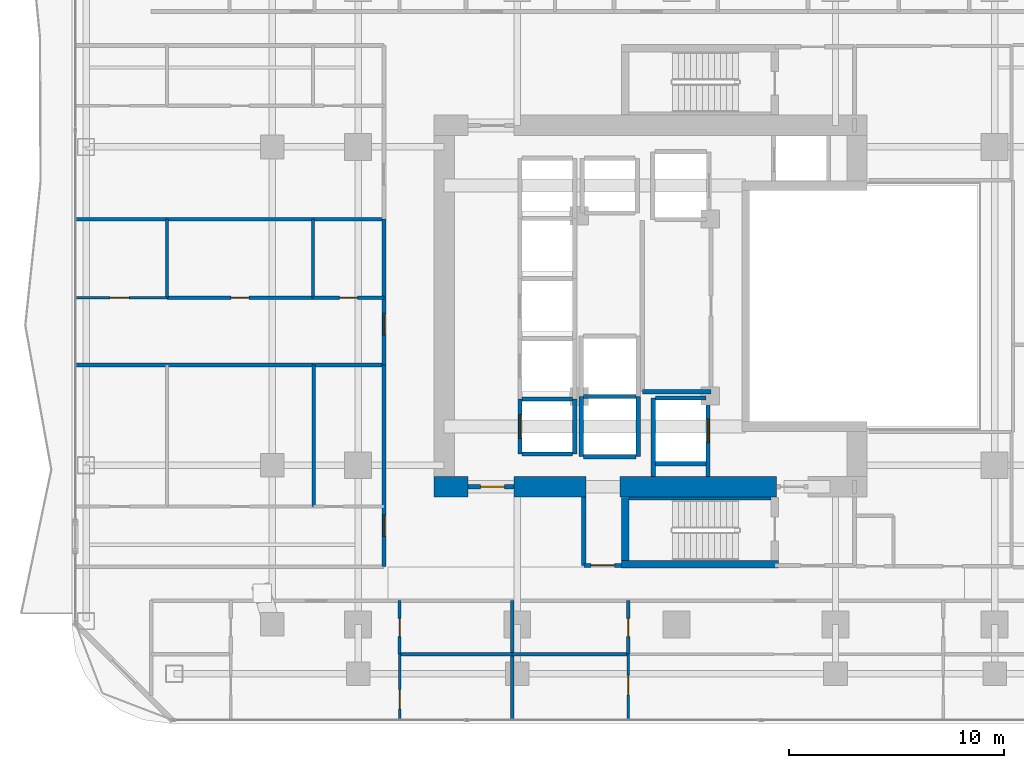
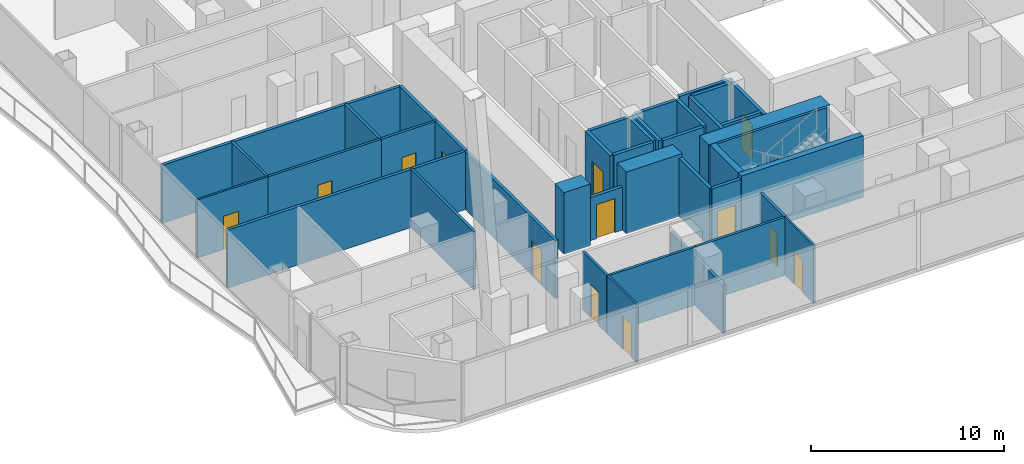
# One storey, part 24 of 32: 39 walls, 13 doors, 13 openings.
"""IFC4 building model written with IfcOpenShell, lengths in metres."""

from ifc_helpers import new_model, si_unit, direction, frame, frame_2d, origin, place, context, subcontext, project, spatial, rectangle, extrude, material, layer, layer_set, type_object, element, fill, save


model = new_model("IFC4")

# Units and contexts
model_context = context("Model", 3, precision=1e-05, world=origin(), true_north=direction((0.0, 1.0)))
body_context = subcontext(model_context, "Body", "Model", "MODEL_VIEW")
ifc_project = project(units=[si_unit("LENGTHUNIT", "METRE"), si_unit("AREAUNIT", "SQUARE_METRE"), si_unit("VOLUMEUNIT", "CUBIC_METRE"), si_unit("PLANEANGLEUNIT", "RADIAN"), si_unit("MASSUNIT", "GRAM", prefix="KILO")], contexts=[model_context])

# Site, building, storey
site_placement = place(None, origin())
site = spatial("IfcSite", under=ifc_project, at=site_placement, CompositionType="ELEMENT")
building_placement = place(site_placement, origin())
building = spatial("IfcBuilding", under=site, at=building_placement, Name="Khorvyn Point Tower", CompositionType="ELEMENT")
storey_placement = place(building_placement, frame((0.0, 0.0, 93.0)))
storey = spatial("IfcBuildingStorey", under=building, at=storey_placement, Name="L23", CompositionType="ELEMENT", Elevation=93.0)

# Wall, opening, door
ifc_material_1 = material(Name="Double acoustic gypsum on twin steel stud", Category="steel")
ifc_layer_1 = layer(ifc_material_1, 0.179931640625)
ifc_layer_set_1 = layer_set([ifc_layer_1], Name="Acoustic Double-Stud Apartment Demising Wall 180")
wall_type_1 = type_object("IfcWallType", Name="Acoustic Double-Stud Apartment Demising Wall 180", PredefinedType="PARTITIONING", material=ifc_layer_set_1)
wall_1_placement = place(storey_placement, frame((-13.60009765625, -12.1201171875, 0.0), z_axis=(0.0, 0.0, 1.0), x_axis=(0.0, 1.0, 0.0)))
wall_1 = element("IfcWall", 1, at=wall_1_placement, inside=storey, type_object=wall_type_1, Name="Wall", PredefinedType="PARTITIONING", context=body_context, shape_type="SweptSolid", body=[
    extrude(rectangle(XDim=9.38916015625, YDim=0.179931640625, at=frame_2d((4.694580078125, 0.0))), origin(), (0.0, 0.0, 1.0), 3.679931640625),
])
opening_1_placement = place(wall_1_placement, frame((1.415283203125, 0.0, 0.0)))
opening_1 = element("IfcOpeningElement", 2, at=opening_1_placement, cuts=wall_1, Name="Opening ID-AP60", PredefinedType="OPENING", context=body_context, shape_type="SweptSolid", body=[
    extrude(rectangle(XDim=1.0, YDim=2.199951171875, at=frame_2d((0.5, 1.10009765625))), frame((0.0, 0.099853515625, 0.0), z_axis=(0.0, -1.0, 0.0), x_axis=(1.0, 0.0, 0.0)), (0.0, 0.0, 1.0), 0.199951171875),
])
ifc_material_2 = material(Name="Engineered hardwood fire-rated leaf", Category="wood")
door_type_1 = type_object("IfcDoorType", Name="Acoustic Solid-Core Timber Apartment Entrance Door 1000x2200", OperationType="NOTDEFINED", PredefinedType="DOOR", material=ifc_material_2)
door_1_placement = place(opening_1_placement, origin())
door_1 = element("IfcDoor", 3, at=door_1_placement, inside=storey, type_object=door_type_1, Name="Door", OperationType="SINGLE_SWING_RIGHT", OverallHeight=2.199951171875, OverallWidth=1.0, PredefinedType="DOOR", context=body_context, shape_type="SweptSolid", body=[
    extrude(rectangle(XDim=1.0, YDim=2.199951171875, at=frame_2d((0.5, 1.10009765625))), frame((0.0, 0.02490234375, 0.0), z_axis=(0.0, -1.0, 0.0), x_axis=(1.0, 0.0, 0.0)), (0.0, 0.0, 1.0), 0.050048828125),
])
fill(opening_1, door_1)

wall_2_placement = place(storey_placement, frame((-13.60009765625, -2.73095703125, 0.0), z_axis=(0.0, 0.0, 1.0), x_axis=(0.0, 1.0, 0.0)))
wall_2 = element("IfcWall", 4, at=wall_2_placement, inside=storey, type_object=wall_type_1, Name="Wall", PredefinedType="PARTITIONING", context=body_context, shape_type="SweptSolid", body=[
    extrude(rectangle(XDim=6.77099609375, YDim=0.179931640625, at=frame_2d((3.385498046875, 0.0))), origin(), (0.0, 0.0, 1.0), 3.679931640625),
])
opening_2_placement = place(wall_2_placement, frame((1.390869140625, 0.0, 0.0)))
opening_2 = element("IfcOpeningElement", 5, at=opening_2_placement, cuts=wall_2, Name="Opening ID-AP60", PredefinedType="OPENING", context=body_context, shape_type="SweptSolid", body=[
    extrude(rectangle(XDim=1.0, YDim=2.199951171875, at=frame_2d((0.5, 1.10009765625))), frame((0.0, 0.099853515625, 0.0), z_axis=(0.0, -1.0, 0.0), x_axis=(1.0, 0.0, 0.0)), (0.0, 0.0, 1.0), 0.199951171875),
])
door_2_placement = place(opening_2_placement, origin())
door_2 = element("IfcDoor", 6, at=door_2_placement, inside=storey, type_object=door_type_1, Name="Door", OperationType="SINGLE_SWING_RIGHT", OverallHeight=2.199951171875, OverallWidth=1.0, PredefinedType="DOOR", context=body_context, shape_type="SweptSolid", body=[
    extrude(rectangle(XDim=1.0, YDim=2.199951171875, at=frame_2d((0.5, 1.10009765625))), frame((0.0, 0.02490234375, 0.0), z_axis=(0.0, -1.0, 0.0), x_axis=(1.0, 0.0, 0.0)), (0.0, 0.0, 1.0), 0.050048828125),
])
fill(opening_2, door_2)

# Walls
wall_3_placement = place(storey_placement, frame((-7.634033203125, -19.22998046875, 0.0), z_axis=(0.0, 0.0, 1.0), x_axis=(0.0, 1.0, 0.0)))
element("IfcWall", 7, at=wall_3_placement, inside=storey, type_object=wall_type_1, Name="Wall", PredefinedType="PARTITIONING", context=body_context, shape_type="SweptSolid", body=[
    extrude(rectangle(XDim=5.530029296875, YDim=0.179931640625, at=frame_2d((2.76513671875, 0.0))), origin(), (0.0, 0.0, 1.0), 3.08203125),
])
for number, where, z_axis, x_axis, name in (
    (8, (-27.929931640625, -2.73095703125, 0.0), (0.0, 0.0, 1.0), (1.0, 0.0, 0.0), "Wall"),
    (9, (-27.929931640625, 4.0400390625, 0.0), (0.0, 0.0, 1.0), (1.0, 0.0, 0.0), "Wall"),
):
    element("IfcWall", number, at=place(storey_placement, frame(where, z_axis=z_axis, x_axis=x_axis)), inside=storey, type_object=wall_type_1, Name=name, PredefinedType="PARTITIONING", context=body_context, shape_type="SweptSolid", body=[
        extrude(rectangle(XDim=14.329833984375, YDim=0.179931640625, at=frame_2d((7.1650390625, 0.0))), origin(), (0.0, 0.0, 1.0), 3.679931640625),
    ])

# Wall, opening, door
ifc_material_3 = material(Name="Concrete C40/50", Category="concrete")
ifc_layer_2 = layer(ifc_material_3, 0.199951171875)
ifc_layer_set_2 = layer_set([ifc_layer_2], Name="Concrete C40/50 Fire-Lobby Compartment Wall 200")
wall_type_2 = type_object("IfcWallType", Name="Concrete C40/50 Fire-Lobby Compartment Wall 200", PredefinedType="SOLIDWALL", material=ifc_layer_set_2)
wall_4_placement = place(storey_placement, frame((-9.699951171875, -8.39990234375, 0.0), z_axis=(0.0, 0.0, 1.0), x_axis=(1.0, 0.0, 0.0)))
wall_4 = element("IfcWall", 10, at=wall_4_placement, inside=storey, type_object=wall_type_2, Name="Wall", PredefinedType="SOLIDWALL", context=body_context, shape_type="SweptSolid", body=[
    extrude(rectangle(XDim=2.14990234375, YDim=0.199951171875, at=frame_2d((1.074951171875, 0.0))), origin(), (0.0, 0.0, 1.0), 2.719970703125),
])
opening_3_placement = place(wall_4_placement, frame((0.597900390625, 0.0, 0.0)))
opening_3 = element("IfcOpeningElement", 11, at=opening_3_placement, cuts=wall_4, Name="Opening ID-FL90", PredefinedType="OPENING", context=body_context, shape_type="SweptSolid", body=[
    extrude(rectangle(XDim=1.10009765625, YDim=2.14990234375, at=frame_2d((0.550048828125, 1.074951171875))), frame((0.0, 0.10986328125, 0.0), z_axis=(0.0, -1.0, 0.0), x_axis=(1.0, 0.0, 0.0)), (0.0, 0.0, 1.0), 0.219970703125),
])
ifc_material_4 = material(Name="Galvanised powder-coated steel", Category="steel")
door_type_2 = type_object("IfcDoorType", Name="Fire-Rated Steel Lobby and Stair Door 1100x2150", OperationType="NOTDEFINED", PredefinedType="DOOR", material=ifc_material_4)
door_3_placement = place(opening_3_placement, origin())
door_3 = element("IfcDoor", 12, at=door_3_placement, inside=storey, type_object=door_type_2, Name="Door", OperationType="SINGLE_SWING_LEFT", OverallHeight=2.14990234375, OverallWidth=1.10009765625, PredefinedType="DOOR", context=body_context, shape_type="SweptSolid", body=[
    extrude(rectangle(XDim=1.10009765625, YDim=2.14990234375, at=frame_2d((0.550048828125, 1.074951171875))), frame((0.0, 0.02490234375, 0.0), z_axis=(0.0, -1.0, 0.0), x_axis=(1.0, 0.0, 0.0)), (0.0, 0.0, 1.0), 0.050048828125),
])
fill(opening_3, door_3)

wall_5_placement = place(storey_placement, frame((-4.300048828125, -12.06005859375, 0.0), z_axis=(0.0, 0.0, 1.0), x_axis=(1.0, 0.0, 0.0)))
wall_5 = element("IfcWall", 13, at=wall_5_placement, inside=storey, type_object=wall_type_2, Name="Wall", PredefinedType="SOLIDWALL", context=body_context, shape_type="SweptSolid", body=[
    extrude(rectangle(XDim=1.75, YDim=0.199951171875, at=frame_2d((0.875, 0.0))), origin(), (0.0, 0.0, 1.0), 3.679931640625),
])
opening_4_placement = place(wall_5_placement, frame((0.324951171875, 0.0, 0.0)))
opening_4 = element("IfcOpeningElement", 14, at=opening_4_placement, cuts=wall_5, Name="Opening ID-FL90", PredefinedType="OPENING", context=body_context, shape_type="SweptSolid", body=[
    extrude(rectangle(XDim=1.10009765625, YDim=2.14990234375, at=frame_2d((0.550048828125, 1.074951171875))), frame((0.0, 0.10986328125, 0.0), z_axis=(0.0, -1.0, 0.0), x_axis=(1.0, 0.0, 0.0)), (0.0, 0.0, 1.0), 0.219970703125),
])
door_4_placement = place(opening_4_placement, origin())
door_4 = element("IfcDoor", 15, at=door_4_placement, inside=storey, type_object=door_type_2, Name="Door", OperationType="SINGLE_SWING_LEFT", OverallHeight=2.14990234375, OverallWidth=1.10009765625, PredefinedType="DOOR", context=body_context, shape_type="SweptSolid", body=[
    extrude(rectangle(XDim=1.10009765625, YDim=2.14990234375, at=frame_2d((0.550048828125, 1.074951171875))), frame((0.0, 0.02490234375, 0.0), z_axis=(0.0, -1.0, 0.0), x_axis=(1.0, 0.0, 0.0)), (0.0, 0.0, 1.0), 0.050048828125),
])
fill(opening_4, door_4)

# Walls
wall_6_placement = place(storey_placement, frame((-4.300048828125, -12.06005859375, 0.0), z_axis=(0.0, 0.0, 1.0), x_axis=(0.0, 1.0, 0.0)))
element("IfcWall", 16, at=wall_6_placement, inside=storey, type_object=wall_type_2, Name="Wall", PredefinedType="SOLIDWALL", context=body_context, shape_type="SweptSolid", body=[
    extrude(rectangle(XDim=3.18505859375, YDim=0.199951171875, at=frame_2d((1.592529296875, 0.0))), origin(), (0.0, 0.0, 1.0), 3.679931640625),
])
wall_7_placement = place(storey_placement, frame((-1.580078125, -3.97998046875, 0.0), z_axis=(0.0, 0.0, 1.0), x_axis=(1.0, 0.0, 0.0)))
element("IfcWall", 17, at=wall_7_placement, inside=storey, type_object=wall_type_2, Name="Wall", PredefinedType="SOLIDWALL", context=body_context, shape_type="SweptSolid", body=[
    extrude(rectangle(XDim=3.190185546875, YDim=0.199951171875, at=frame_2d((1.59521484375, 0.0))), origin(), (0.0, 0.0, 1.0), 3.679931640625),
])
ifc_layer_3 = layer(ifc_material_3, 0.25)
ifc_layer_set_3 = layer_set([ifc_layer_3], Name="Concrete C40/50 Stair Inner Cheek Structural Wall 250")
wall_type_3 = type_object("IfcWallType", Name="Concrete C40/50 Stair Inner Cheek Structural Wall 250", PredefinedType="SHEAR", material=ifc_layer_set_3)
wall_8_placement = place(storey_placement, frame((-2.199951171875, -8.949951171875, 0.0), z_axis=(0.0, 0.0, 1.0), x_axis=(1.0, 0.0, 0.0)))
element("IfcWall", 18, at=wall_8_placement, inside=storey, type_object=wall_type_3, Name="Wall", PredefinedType="SHEAR", context=body_context, shape_type="SweptSolid", body=[
    extrude(rectangle(XDim=6.599853515625, YDim=0.14990234375, at=frame_2d((3.2998046875, 0.0))), origin(), (0.0, 0.0, 1.0), 3.89990234375),
])
ifc_layer_4 = layer(ifc_material_3, 0.35009765625)
ifc_layer_set_4 = layer_set([ifc_layer_4], Name="Concrete C40/50 Stair Shaft Structural Wall 350")
wall_type_4 = type_object("IfcWallType", Name="Concrete C40/50 Stair Shaft Structural Wall 350", PredefinedType="SHEAR", material=ifc_layer_set_4)
wall_9_placement = place(storey_placement, frame((-2.554931640625, -12.0, 0.0), z_axis=(0.0, 0.0, 1.0), x_axis=(1.0, 0.0, 0.0)))
element("IfcWall", 19, at=wall_9_placement, inside=storey, type_object=wall_type_4, Name="L23 ST-01 South Shaft Wall", PredefinedType="SHEAR", context=body_context, shape_type="SweptSolid", body=[
    extrude(rectangle(XDim=7.309814453125, YDim=0.35009765625, at=frame_2d((3.65478515625, 0.0))), origin(), (0.0, 0.0, 1.0), 3.89990234375),
])
wall_10_placement = place(storey_placement, frame((-2.3798828125, -11.824951171875, 0.0), z_axis=(0.0, 0.0, 1.0), x_axis=(0.0, 1.0, 0.0)))
element("IfcWall", 20, at=wall_10_placement, inside=storey, type_object=wall_type_4, Name="L23 ST-01 West Shaft Wall", PredefinedType="SHEAR", context=body_context, shape_type="SweptSolid", body=[
    extrude(rectangle(XDim=2.925048828125, YDim=0.35009765625, at=frame_2d((1.46240234375, 0.0))), origin(), (0.0, 0.0, 1.0), 3.89990234375),
])

# Wall, opening, door
ifc_layer_5 = layer(ifc_material_3, 0.199951171875)
ifc_layer_set_5 = layer_set([ifc_layer_5], Name="Concrete C40/50 Structural Hoistway and Stair Shaft Wall 200")
wall_type_5 = type_object("IfcWallType", Name="Concrete C40/50 Structural Hoistway and Stair Shaft Wall 200", PredefinedType="SHEAR", material=ifc_layer_set_5)
wall_11_placement = place(storey_placement, frame((-7.27490234375, -6.875, 0.0), z_axis=(0.0, 0.0, 1.0), x_axis=(0.0, 1.0, 0.0)))
wall_11 = element("IfcWall", 21, at=wall_11_placement, inside=storey, type_object=wall_type_5, Name="Wall", PredefinedType="SHEAR", context=body_context, shape_type="SweptSolid", body=[
    extrude(rectangle(XDim=2.550048828125, YDim=0.199951171875, at=frame_2d((1.27490234375, 0.0))), origin(), (0.0, 0.0, 1.0), 3.679931640625),
])
opening_5_placement = place(wall_11_placement, frame((0.72509765625, 0.0, 0.0)))
opening_5 = element("IfcOpeningElement", 22, at=opening_5_placement, cuts=wall_11, Name="Opening LD-1122", PredefinedType="OPENING", context=body_context, shape_type="SweptSolid", body=[
    extrude(rectangle(XDim=1.10009765625, YDim=2.199951171875, at=frame_2d((0.550048828125, 1.10009765625))), frame((0.0, 0.10986328125, 0.0), z_axis=(0.0, -1.0, 0.0), x_axis=(1.0, 0.0, 0.0)), (0.0, 0.0, 1.0), 0.219970703125),
])
ifc_material_5 = material(Name="Stainless steel 1.4301", Category="steel")
door_type_3 = type_object("IfcDoorType", Name="Stainless Steel Automatic Sliding Lift Landing Door 1100x2200", OperationType="SLIDING_TO_LEFT", PredefinedType="DOOR", material=ifc_material_5)
door_5_placement = place(opening_5_placement, origin())
door_5 = element("IfcDoor", 23, at=door_5_placement, inside=storey, type_object=door_type_3, Name="L23 RL-01 Sliding Lift Landing Door", OperationType="SLIDING_TO_LEFT", OverallHeight=2.199951171875, OverallWidth=1.10009765625, PredefinedType="DOOR", context=body_context, shape_type="SweptSolid", body=[
    extrude(rectangle(XDim=1.10009765625, YDim=2.199951171875, at=frame_2d((0.550048828125, 1.10009765625))), frame((0.0, 0.02490234375, 0.0), z_axis=(0.0, -1.0, 0.0), x_axis=(1.0, 0.0, 0.0)), (0.0, 0.0, 1.0), 0.050048828125),
])
fill(opening_5, door_5)

# Walls
wall_12_placement = place(storey_placement, frame((-4.72509765625, -6.875, 0.0), z_axis=(0.0, 0.0, 1.0), x_axis=(0.0, 1.0, 0.0)))
element("IfcWall", 24, at=wall_12_placement, inside=storey, type_object=wall_type_5, Name="Wall", PredefinedType="SHEAR", context=body_context, shape_type="SweptSolid", body=[
    extrude(rectangle(XDim=2.550048828125, YDim=0.199951171875, at=frame_2d((1.27490234375, 0.0))), origin(), (0.0, 0.0, 1.0), 3.679931640625),
])
for number, where, z_axis, x_axis, name in (
    (25, (-7.175048828125, -6.875, 0.0), (0.0, 0.0, 1.0), (1.0, 0.0, 0.0), "Wall"),
    (26, (-7.175048828125, -4.324951171875, 0.0), (0.0, 0.0, 1.0), (1.0, 0.0, 0.0), "Wall"),
):
    element("IfcWall", number, at=place(storey_placement, frame(where, z_axis=z_axis, x_axis=x_axis)), inside=storey, type_object=wall_type_5, Name=name, PredefinedType="SHEAR", context=body_context, shape_type="SweptSolid", body=[
        extrude(rectangle(XDim=2.35009765625, YDim=0.199951171875, at=frame_2d((1.175048828125, 0.0))), origin(), (0.0, 0.0, 1.0), 3.679931640625),
    ])
for number, where, z_axis, x_axis, name in (
    (27, (-4.425048828125, -7.0, 0.0), (0.0, 0.0, 1.0), (0.0, 1.0, 0.0), "Wall"),
    (28, (-1.77490234375, -7.0, 0.0), (0.0, 0.0, 1.0), (0.0, 1.0, 0.0), "Wall"),
):
    element("IfcWall", number, at=place(storey_placement, frame(where, z_axis=z_axis, x_axis=x_axis)), inside=storey, type_object=wall_type_5, Name=name, PredefinedType="SHEAR", context=body_context, shape_type="SweptSolid", body=[
        extrude(rectangle(XDim=2.800048828125, YDim=0.199951171875, at=frame_2d((1.39990234375, 0.0))), origin(), (0.0, 0.0, 1.0), 3.679931640625),
    ])
for number, where, z_axis, x_axis, name in (
    (29, (-4.324951171875, -7.0, 0.0), (0.0, 0.0, 1.0), (1.0, 0.0, 0.0), "Wall"),
    (30, (-4.324951171875, -4.199951171875, 0.0), (0.0, 0.0, 1.0), (1.0, 0.0, 0.0), "Wall"),
):
    element("IfcWall", number, at=place(storey_placement, frame(where, z_axis=z_axis, x_axis=x_axis)), inside=storey, type_object=wall_type_5, Name=name, PredefinedType="SHEAR", context=body_context, shape_type="SweptSolid", body=[
        extrude(rectangle(XDim=2.449951171875, YDim=0.199951171875, at=frame_2d((1.22509765625, 0.0))), origin(), (0.0, 0.0, 1.0), 3.679931640625),
    ])
wall_13_placement = place(storey_placement, frame((-1.074951171875, -7.925048828125, 0.0), z_axis=(0.0, 0.0, 1.0), x_axis=(0.0, 1.0, 0.0)))
element("IfcWall", 31, at=wall_13_placement, inside=storey, type_object=wall_type_5, Name="Wall", PredefinedType="SHEAR", context=body_context, shape_type="SweptSolid", body=[
    extrude(rectangle(XDim=3.650146484375, YDim=0.199951171875, at=frame_2d((1.8251953125, 0.0))), origin(), (0.0, 0.0, 1.0), 3.679931640625),
])

# Wall, opening, door
wall_14_placement = place(storey_placement, frame((1.47509765625, -7.925048828125, 0.0), z_axis=(0.0, 0.0, 1.0), x_axis=(0.0, 1.0, 0.0)))
wall_14 = element("IfcWall", 32, at=wall_14_placement, inside=storey, type_object=wall_type_5, Name="Wall", PredefinedType="SHEAR", context=body_context, shape_type="SweptSolid", body=[
    extrude(rectangle(XDim=3.650146484375, YDim=0.199951171875, at=frame_2d((1.8251953125, 0.0))), origin(), (0.0, 0.0, 1.0), 3.679931640625),
])
opening_6_placement = place(wall_14_placement, frame((1.574951171875, 0.0, 0.0)))
opening_6 = element("IfcOpeningElement", 33, at=opening_6_placement, cuts=wall_14, Name="Opening LD-1122", PredefinedType="OPENING", context=body_context, shape_type="SweptSolid", body=[
    extrude(rectangle(XDim=1.10009765625, YDim=2.199951171875, at=frame_2d((0.550048828125, 1.10009765625))), frame((0.0, 0.10986328125, 0.0), z_axis=(0.0, -1.0, 0.0), x_axis=(1.0, 0.0, 0.0)), (0.0, 0.0, 1.0), 0.219970703125),
])
door_6_placement = place(opening_6_placement, origin())
door_6 = element("IfcDoor", 34, at=door_6_placement, inside=storey, type_object=door_type_3, Name="L23 FF-01 Sliding Lift Landing Door", OperationType="SLIDING_TO_LEFT", OverallHeight=2.199951171875, OverallWidth=1.10009765625, PredefinedType="DOOR", context=body_context, shape_type="SweptSolid", body=[
    extrude(rectangle(XDim=1.10009765625, YDim=2.199951171875, at=frame_2d((0.550048828125, 1.10009765625))), frame((0.0, 0.02490234375, 0.0), z_axis=(0.0, -1.0, 0.0), x_axis=(1.0, 0.0, 0.0)), (0.0, 0.0, 1.0), 0.050048828125),
])
fill(opening_6, door_6)

# Walls
for number, where, z_axis, x_axis, name in (
    (35, (-0.97509765625, -7.324951171875, 0.0), (0.0, 0.0, 1.0), (1.0, 0.0, 0.0), "Wall"),
    (36, (-0.97509765625, -4.27490234375, 0.0), (0.0, 0.0, 1.0), (1.0, 0.0, 0.0), "Wall"),
):
    element("IfcWall", number, at=place(storey_placement, frame(where, z_axis=z_axis, x_axis=x_axis)), inside=storey, type_object=wall_type_5, Name=name, PredefinedType="SHEAR", context=body_context, shape_type="SweptSolid", body=[
        extrude(rectangle(XDim=2.35009765625, YDim=0.199951171875, at=frame_2d((1.175048828125, 0.0))), origin(), (0.0, 0.0, 1.0), 3.679931640625),
    ])
ifc_material_6 = material(Name="Concrete C50/60", Category="concrete")
ifc_layer_6 = layer(ifc_material_6, 0.949951171875)
ifc_layer_set_6 = layer_set([ifc_layer_6], Name="Concrete C50/60 Core Shear Wall 950")
wall_type_6 = type_object("IfcWallType", Name="Concrete C50/60 Core Shear Wall 950", PredefinedType="SHEAR", material=ifc_layer_set_6)
wall_15_placement = place(storey_placement, frame((-11.27490234375, -8.39990234375, 0.0), z_axis=(0.0, 0.0, 1.0), x_axis=(1.0, 0.0, 0.0)))
element("IfcWall", 37, at=wall_15_placement, inside=storey, type_object=wall_type_6, Name="Wall", PredefinedType="SHEAR", context=body_context, shape_type="SweptSolid", body=[
    extrude(rectangle(XDim=1.574951171875, YDim=0.949951171875, at=frame_2d((0.78759765625, 0.0))), origin(), (0.0, 0.0, 1.0), 3.89990234375),
])
wall_16_placement = place(storey_placement, frame((-7.550048828125, -8.39990234375, 0.0), z_axis=(0.0, 0.0, 1.0), x_axis=(1.0, 0.0, 0.0)))
element("IfcWall", 38, at=wall_16_placement, inside=storey, type_object=wall_type_6, Name="Wall", PredefinedType="SHEAR", context=body_context, shape_type="SweptSolid", body=[
    extrude(rectangle(XDim=3.35009765625, YDim=0.949951171875, at=frame_2d((1.675048828125, 0.0))), origin(), (0.0, 0.0, 1.0), 3.89990234375),
])
wall_17_placement = place(storey_placement, frame((-2.6201171875, -8.39990234375, 0.0), z_axis=(0.0, 0.0, 1.0), x_axis=(1.0, 0.0, 0.0)))
element("IfcWall", 39, at=wall_17_placement, inside=storey, type_object=wall_type_6, Name="Wall", PredefinedType="SHEAR", context=body_context, shape_type="SweptSolid", body=[
    extrude(rectangle(XDim=7.27001953125, YDim=0.949951171875, at=frame_2d((3.635009765625, 0.0))), origin(), (0.0, 0.0, 1.0), 3.89990234375),
])

# Wall, opening, door
ifc_material_7 = material(Name="Gypsum plasterboard on steel stud", Category="steel")
ifc_layer_7 = layer(ifc_material_7, 0.1201171875)
ifc_layer_set_7 = layer_set([ifc_layer_7], Name="Gypsum Acoustic Stud Room Partition Wall 120")
wall_type_7 = type_object("IfcWallType", Name="Gypsum Acoustic Stud Room Partition Wall 120", PredefinedType="PARTITIONING", material=ifc_layer_set_7)
wall_18_placement = place(storey_placement, frame((-12.87109375, -19.22998046875, 0.0), z_axis=(0.0, 0.0, 1.0), x_axis=(0.0, 1.0, 0.0)))
wall_18 = element("IfcWall", 40, at=wall_18_placement, inside=storey, type_object=wall_type_7, Name="Wall", PredefinedType="PARTITIONING", context=body_context, shape_type="SweptSolid", body=[
    extrude(rectangle(XDim=3.0400390625, YDim=0.1201171875, at=frame_2d((1.52001953125, 0.0))), origin(), (0.0, 0.0, 1.0), 3.679931640625),
])
opening_7_placement = place(wall_18_placement, frame((0.490966796875, 0.0, 0.0)))
opening_7 = element("IfcOpeningElement", 41, at=opening_7_placement, cuts=wall_18, Name="Opening ID-RM90", PredefinedType="OPENING", context=body_context, shape_type="SweptSolid", body=[
    extrude(rectangle(XDim=0.89990234375, YDim=2.10009765625, at=frame_2d((0.449951171875, 1.050048828125))), frame((0.0, 0.070068359375, 0.0), z_axis=(0.0, -1.0, 0.0), x_axis=(1.0, 0.0, 0.0)), (0.0, 0.0, 1.0), 0.14013671875),
])
ifc_material_8 = material(Name="Engineered oak veneer timber", Category="wood")
door_type_4 = type_object("IfcDoorType", Name="Flush Engineered Timber Room Door 900x2100", OperationType="NOTDEFINED", PredefinedType="DOOR", material=ifc_material_8)
door_7_placement = place(opening_7_placement, origin())
door_7 = element("IfcDoor", 42, at=door_7_placement, inside=storey, type_object=door_type_4, Name="Door", OperationType="SINGLE_SWING_LEFT", OverallHeight=2.10009765625, OverallWidth=0.89990234375, PredefinedType="DOOR", context=body_context, shape_type="SweptSolid", body=[
    extrude(rectangle(XDim=0.89990234375, YDim=2.10009765625, at=frame_2d((0.449951171875, 1.050048828125))), frame((0.0, 0.02490234375, 0.0), z_axis=(0.0, -1.0, 0.0), x_axis=(1.0, 0.0, 0.0)), (0.0, 0.0, 1.0), 0.050048828125),
])
fill(opening_7, door_7)

wall_19_placement = place(storey_placement, frame((-2.239990234375, -19.22998046875, 0.0), z_axis=(0.0, 0.0, 1.0), x_axis=(0.0, 1.0, 0.0)))
wall_19 = element("IfcWall", 43, at=wall_19_placement, inside=storey, type_object=wall_type_7, Name="Wall", PredefinedType="PARTITIONING", context=body_context, shape_type="SweptSolid", body=[
    extrude(rectangle(XDim=3.0400390625, YDim=0.1201171875, at=frame_2d((1.52001953125, 0.0))), origin(), (0.0, 0.0, 1.0), 3.679931640625),
])
opening_8_placement = place(wall_19_placement, frame((1.152587890625, 0.0, 0.0)))
opening_8 = element("IfcOpeningElement", 44, at=opening_8_placement, cuts=wall_19, Name="Opening ID-RM90", PredefinedType="OPENING", context=body_context, shape_type="SweptSolid", body=[
    extrude(rectangle(XDim=0.89990234375, YDim=2.10009765625, at=frame_2d((0.449951171875, 1.050048828125))), frame((0.0, 0.070068359375, 0.0), z_axis=(0.0, -1.0, 0.0), x_axis=(1.0, 0.0, 0.0)), (0.0, 0.0, 1.0), 0.14013671875),
])
door_8_placement = place(opening_8_placement, origin())
door_8 = element("IfcDoor", 45, at=door_8_placement, inside=storey, type_object=door_type_4, Name="Door", OperationType="SINGLE_SWING_LEFT", OverallHeight=2.10009765625, OverallWidth=0.89990234375, PredefinedType="DOOR", context=body_context, shape_type="SweptSolid", body=[
    extrude(rectangle(XDim=0.89990234375, YDim=2.10009765625, at=frame_2d((0.449951171875, 1.050048828125))), frame((0.0, 0.02490234375, 0.0), z_axis=(0.0, -1.0, 0.0), x_axis=(1.0, 0.0, 0.0)), (0.0, 0.0, 1.0), 0.050048828125),
])
fill(opening_8, door_8)

wall_20_placement = place(storey_placement, frame((-27.929931640625, 0.384033203125, 0.0), z_axis=(0.0, 0.0, 1.0), x_axis=(1.0, 0.0, 0.0)))
wall_20 = element("IfcWall", 46, at=wall_20_placement, inside=storey, type_object=wall_type_7, Name="Wall", PredefinedType="PARTITIONING", context=body_context, shape_type="SweptSolid", body=[
    extrude(rectangle(XDim=4.239990234375, YDim=0.1201171875, at=frame_2d((2.1201171875, 0.0))), origin(), (0.0, 0.0, 1.0), 3.679931640625),
])
opening_9_placement = place(wall_20_placement, frame((1.581298828125, 0.0, 0.0)))
opening_9 = element("IfcOpeningElement", 47, at=opening_9_placement, cuts=wall_20, Name="Opening ID-RM90", PredefinedType="OPENING", context=body_context, shape_type="SweptSolid", body=[
    extrude(rectangle(XDim=0.89990234375, YDim=2.10009765625, at=frame_2d((0.449951171875, 1.050048828125))), frame((0.0, 0.070068359375, 0.0), z_axis=(0.0, -1.0, 0.0), x_axis=(1.0, 0.0, 0.0)), (0.0, 0.0, 1.0), 0.14013671875),
])
door_9_placement = place(opening_9_placement, origin())
door_9 = element("IfcDoor", 48, at=door_9_placement, inside=storey, type_object=door_type_4, Name="Door", OperationType="SINGLE_SWING_LEFT", OverallHeight=2.10009765625, OverallWidth=0.89990234375, PredefinedType="DOOR", context=body_context, shape_type="SweptSolid", body=[
    extrude(rectangle(XDim=0.89990234375, YDim=2.10009765625, at=frame_2d((0.449951171875, 1.050048828125))), frame((0.0, 0.02490234375, 0.0), z_axis=(0.0, -1.0, 0.0), x_axis=(1.0, 0.0, 0.0)), (0.0, 0.0, 1.0), 0.050048828125),
])
fill(opening_9, door_9)

ifc_material_9 = material(Name="Moisture-resistant gypsum and cement board", Category="gypsum")
ifc_layer_8 = layer(ifc_material_9, 0.14990234375)
ifc_layer_set_8 = layer_set([ifc_layer_8], Name="Moisture-Resistant Wet-Room Partition Wall 150")
wall_type_8 = type_object("IfcWallType", Name="Moisture-Resistant Wet-Room Partition Wall 150", PredefinedType="PARTITIONING", material=ifc_layer_set_8)
wall_21_placement = place(storey_placement, frame((-12.87109375, -16.18994140625, 0.0), z_axis=(0.0, 0.0, 1.0), x_axis=(0.0, 1.0, 0.0)))
wall_21 = element("IfcWall", 49, at=wall_21_placement, inside=storey, type_object=wall_type_8, Name="Wall", PredefinedType="PARTITIONING", context=body_context, shape_type="SweptSolid", body=[
    extrude(rectangle(XDim=2.489990234375, YDim=0.14990234375, at=frame_2d((1.2451171875, 0.0))), origin(), (0.0, 0.0, 1.0), 3.679931640625),
])
opening_10_placement = place(wall_21_placement, frame((0.820068359375, 0.0, 0.0)))
opening_10 = element("IfcOpeningElement", 50, at=opening_10_placement, cuts=wall_21, Name="Opening ID-WC85", PredefinedType="OPENING", context=body_context, shape_type="SweptSolid", body=[
    extrude(rectangle(XDim=0.85009765625, YDim=2.10009765625, at=frame_2d((0.425048828125, 1.050048828125))), frame((0.0, 0.0849609375, 0.0), z_axis=(0.0, -1.0, 0.0), x_axis=(1.0, 0.0, 0.0)), (0.0, 0.0, 1.0), 0.169921875),
])
ifc_material_10 = material(Name="High-pressure laminate on moisture-resistant core", Category="wood")
door_type_5 = type_object("IfcDoorType", Name="Moisture-Resistant Accessible Washroom Door 850x2100", OperationType="NOTDEFINED", PredefinedType="DOOR", material=ifc_material_10)
door_10_placement = place(opening_10_placement, origin())
door_10 = element("IfcDoor", 51, at=door_10_placement, inside=storey, type_object=door_type_5, Name="Door", OperationType="SINGLE_SWING_RIGHT", OverallHeight=2.10009765625, OverallWidth=0.85009765625, PredefinedType="DOOR", context=body_context, shape_type="SweptSolid", body=[
    extrude(rectangle(XDim=0.85009765625, YDim=2.10009765625, at=frame_2d((0.425048828125, 1.050048828125))), frame((0.0, 0.02490234375, 0.0), z_axis=(0.0, -1.0, 0.0), x_axis=(1.0, 0.0, 0.0)), (0.0, 0.0, 1.0), 0.050048828125),
])
fill(opening_10, door_10)

wall_22_placement = place(storey_placement, frame((-2.239990234375, -16.18994140625, 0.0), z_axis=(0.0, 0.0, 1.0), x_axis=(0.0, 1.0, 0.0)))
wall_22 = element("IfcWall", 52, at=wall_22_placement, inside=storey, type_object=wall_type_8, Name="Wall", PredefinedType="PARTITIONING", context=body_context, shape_type="SweptSolid", body=[
    extrude(rectangle(XDim=2.489990234375, YDim=0.14990234375, at=frame_2d((1.2451171875, 0.0))), origin(), (0.0, 0.0, 1.0), 3.679931640625),
])
opening_11_placement = place(wall_22_placement, frame((0.820068359375, 0.0, 0.0)))
opening_11 = element("IfcOpeningElement", 53, at=opening_11_placement, cuts=wall_22, Name="Opening ID-WC85", PredefinedType="OPENING", context=body_context, shape_type="SweptSolid", body=[
    extrude(rectangle(XDim=0.85009765625, YDim=2.10009765625, at=frame_2d((0.425048828125, 1.050048828125))), frame((0.0, 0.0849609375, 0.0), z_axis=(0.0, -1.0, 0.0), x_axis=(1.0, 0.0, 0.0)), (0.0, 0.0, 1.0), 0.169921875),
])
door_11_placement = place(opening_11_placement, origin())
door_11 = element("IfcDoor", 54, at=door_11_placement, inside=storey, type_object=door_type_5, Name="Door", OperationType="SINGLE_SWING_RIGHT", OverallHeight=2.10009765625, OverallWidth=0.85009765625, PredefinedType="DOOR", context=body_context, shape_type="SweptSolid", body=[
    extrude(rectangle(XDim=0.85009765625, YDim=2.10009765625, at=frame_2d((0.425048828125, 1.050048828125))), frame((0.0, 0.02490234375, 0.0), z_axis=(0.0, -1.0, 0.0), x_axis=(1.0, 0.0, 0.0)), (0.0, 0.0, 1.0), 0.050048828125),
])
fill(opening_11, door_11)

wall_23_placement = place(storey_placement, frame((-23.68994140625, 0.384033203125, 0.0), z_axis=(0.0, 0.0, 1.0), x_axis=(1.0, 0.0, 0.0)))
wall_23 = element("IfcWall", 55, at=wall_23_placement, inside=storey, type_object=wall_type_8, Name="Wall", PredefinedType="PARTITIONING", context=body_context, shape_type="SweptSolid", body=[
    extrude(rectangle(XDim=6.787841796875, YDim=0.14990234375, at=frame_2d((3.39404296875, 0.0))), origin(), (0.0, 0.0, 1.0), 3.679931640625),
])
opening_12_placement = place(wall_23_placement, frame((2.968994140625, 0.0, 0.0)))
opening_12 = element("IfcOpeningElement", 56, at=opening_12_placement, cuts=wall_23, Name="Opening ID-WC85", PredefinedType="OPENING", context=body_context, shape_type="SweptSolid", body=[
    extrude(rectangle(XDim=0.85009765625, YDim=2.10009765625, at=frame_2d((0.425048828125, 1.050048828125))), frame((0.0, 0.0849609375, 0.0), z_axis=(0.0, -1.0, 0.0), x_axis=(1.0, 0.0, 0.0)), (0.0, 0.0, 1.0), 0.169921875),
])
door_12_placement = place(opening_12_placement, origin())
door_12 = element("IfcDoor", 57, at=door_12_placement, inside=storey, type_object=door_type_5, Name="Door", OperationType="SINGLE_SWING_LEFT", OverallHeight=2.10009765625, OverallWidth=0.85009765625, PredefinedType="DOOR", context=body_context, shape_type="SweptSolid", body=[
    extrude(rectangle(XDim=0.85009765625, YDim=2.10009765625, at=frame_2d((0.425048828125, 1.050048828125))), frame((0.0, 0.02490234375, 0.0), z_axis=(0.0, -1.0, 0.0), x_axis=(1.0, 0.0, 0.0)), (0.0, 0.0, 1.0), 0.050048828125),
])
fill(opening_12, door_12)

wall_24_placement = place(storey_placement, frame((-16.902099609375, 0.384033203125, 0.0), z_axis=(0.0, 0.0, 1.0), x_axis=(1.0, 0.0, 0.0)))
wall_24 = element("IfcWall", 58, at=wall_24_placement, inside=storey, type_object=wall_type_8, Name="Wall", PredefinedType="PARTITIONING", context=body_context, shape_type="SweptSolid", body=[
    extrude(rectangle(XDim=3.302001953125, YDim=0.14990234375, at=frame_2d((1.65087890625, 0.0))), origin(), (0.0, 0.0, 1.0), 3.679931640625),
])
opening_13_placement = place(wall_24_placement, frame((1.22607421875, 0.0, 0.0)))
opening_13 = element("IfcOpeningElement", 59, at=opening_13_placement, cuts=wall_24, Name="Opening ID-WC85", PredefinedType="OPENING", context=body_context, shape_type="SweptSolid", body=[
    extrude(rectangle(XDim=0.85009765625, YDim=2.10009765625, at=frame_2d((0.425048828125, 1.050048828125))), frame((0.0, 0.0849609375, 0.0), z_axis=(0.0, -1.0, 0.0), x_axis=(1.0, 0.0, 0.0)), (0.0, 0.0, 1.0), 0.169921875),
])
door_13_placement = place(opening_13_placement, origin())
door_13 = element("IfcDoor", 60, at=door_13_placement, inside=storey, type_object=door_type_5, Name="Door", OperationType="SINGLE_SWING_RIGHT", OverallHeight=2.10009765625, OverallWidth=0.85009765625, PredefinedType="DOOR", context=body_context, shape_type="SweptSolid", body=[
    extrude(rectangle(XDim=0.85009765625, YDim=2.10009765625, at=frame_2d((0.425048828125, 1.050048828125))), frame((0.0, 0.02490234375, 0.0), z_axis=(0.0, -1.0, 0.0), x_axis=(1.0, 0.0, 0.0)), (0.0, 0.0, 1.0), 0.050048828125),
])
fill(opening_13, door_13)

# Walls
wall_25_placement = place(storey_placement, frame((-12.87109375, -16.18994140625, 0.0), z_axis=(0.0, 0.0, 1.0), x_axis=(1.0, 0.0, 0.0)))
element("IfcWall", 61, at=wall_25_placement, inside=storey, type_object=wall_type_8, Name="Wall", PredefinedType="PARTITIONING", context=body_context, shape_type="SweptSolid", body=[
    extrude(rectangle(XDim=5.237060546875, YDim=0.14990234375, at=frame_2d((2.61865234375, 0.0))), origin(), (0.0, 0.0, 1.0), 3.679931640625),
])
wall_26_placement = place(storey_placement, frame((-7.634033203125, -16.18994140625, 0.0), z_axis=(0.0, 0.0, 1.0), x_axis=(1.0, 0.0, 0.0)))
element("IfcWall", 62, at=wall_26_placement, inside=storey, type_object=wall_type_8, Name="Wall", PredefinedType="PARTITIONING", context=body_context, shape_type="SweptSolid", body=[
    extrude(rectangle(XDim=5.39404296875, YDim=0.14990234375, at=frame_2d((2.697021484375, 0.0))), origin(), (0.0, 0.0, 1.0), 3.679931640625),
])
wall_27_placement = place(storey_placement, frame((-16.863037109375, -9.320068359375, 0.0), z_axis=(0.0, 0.0, 1.0), x_axis=(0.0, 1.0, 0.0)))
element("IfcWall", 63, at=wall_27_placement, inside=storey, type_object=wall_type_8, Name="Wall", PredefinedType="PARTITIONING", context=body_context, shape_type="SweptSolid", body=[
    extrude(rectangle(XDim=6.589111328125, YDim=0.14990234375, at=frame_2d((3.29443359375, 0.0))), origin(), (0.0, 0.0, 1.0), 3.679931640625),
])
for number, where, z_axis, x_axis, name in (
    (64, (-16.902099609375, 0.384033203125, 0.0), (0.0, 0.0, 1.0), (0.0, 1.0, 0.0), "Wall"),
    (65, (-23.68994140625, 0.384033203125, 0.0), (0.0, 0.0, 1.0), (0.0, 1.0, 0.0), "Wall"),
):
    element("IfcWall", number, at=place(storey_placement, frame(where, z_axis=z_axis, x_axis=x_axis)), inside=storey, type_object=wall_type_8, Name=name, PredefinedType="PARTITIONING", context=body_context, shape_type="SweptSolid", body=[
        extrude(rectangle(XDim=3.656005859375, YDim=0.14990234375, at=frame_2d((1.828125, 0.0))), origin(), (0.0, 0.0, 1.0), 3.679931640625),
    ])

save(model, "model.ifc")
